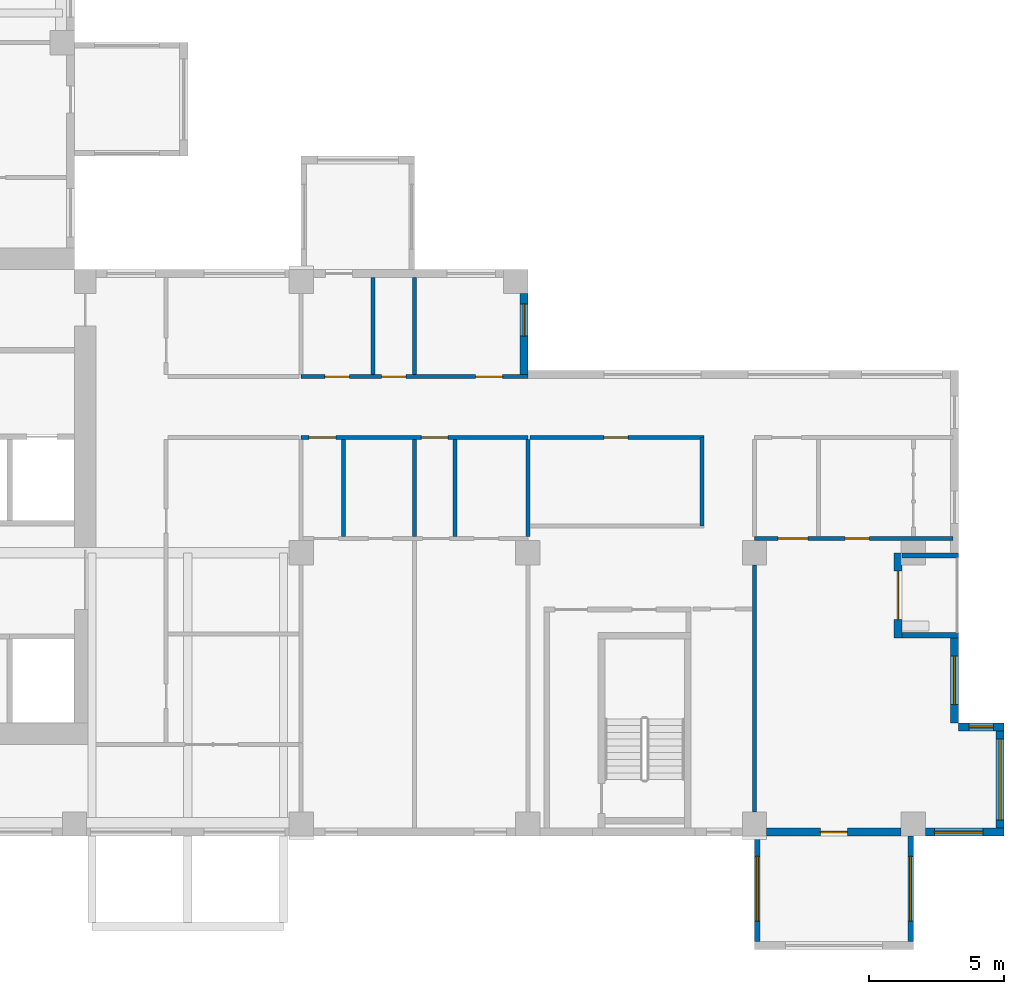
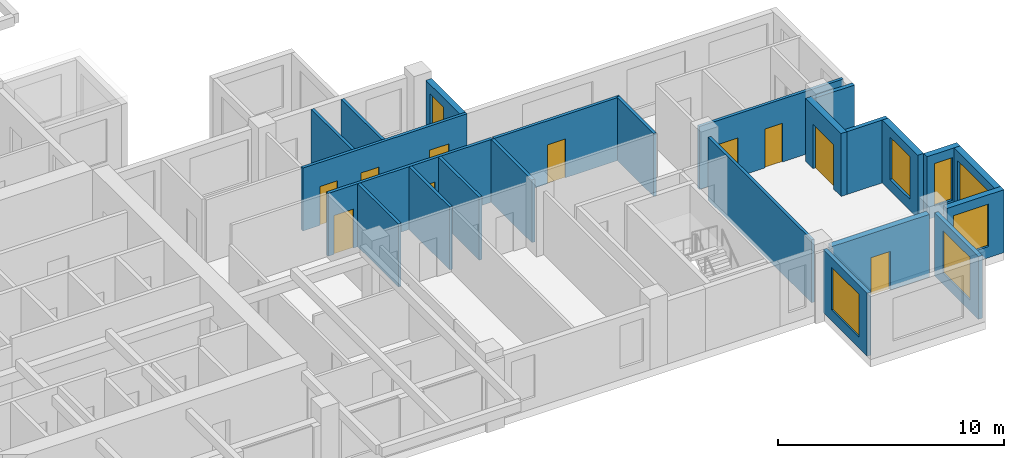
# One storey, part 5 of 12: 23 walls, 10 doors, 7 windows, 17 openings.
"""IFC4 building model written with IfcOpenShell, lengths in metres."""

from ifc_helpers import new_model, si_unit, direction, frame, frame_2d, origin, place, context, subcontext, project, spatial, rectangle, extrude, source, transform, mapped, material, layer, layer_set, type_object, element, fill, save


model = new_model("IFC4")

# Units and contexts
model_context = context("Model", 3, precision=1e-05, world=origin(), true_north=direction((0.0, 1.0)))
body_context = subcontext(model_context, "Body", "Model", "MODEL_VIEW")
ifc_project = project(units=[si_unit("LENGTHUNIT", "METRE"), si_unit("AREAUNIT", "SQUARE_METRE"), si_unit("VOLUMEUNIT", "CUBIC_METRE"), si_unit("PLANEANGLEUNIT", "RADIAN"), si_unit("MASSUNIT", "GRAM", prefix="KILO")], contexts=[model_context])

# Site, building, storey
site_placement = place(None, origin())
site = spatial("IfcSite", under=ifc_project, at=site_placement, CompositionType="ELEMENT")
building_placement = place(site_placement, origin())
building = spatial("IfcBuilding", under=site, at=building_placement, Name="Aurelian Terraces", CompositionType="ELEMENT")
storey_placement = place(building_placement, frame((0.0, 0.0, 215.8)))
storey = spatial("IfcBuildingStorey", under=building, at=storey_placement, Name="L48", CompositionType="ELEMENT", Elevation=215.8)

# Walls
ifc_material_1 = material(Name="Terracotta rainscreen cladding", Category="masonry")
ifc_layer_1 = layer(ifc_material_1, 0.2)
ifc_layer_set_1 = layer_set([ifc_layer_1], Name="EW-200")
wall_type_1 = type_object("IfcWallType", Name="EW-200", PredefinedType="STANDARD", material=ifc_layer_set_1)
wall_1_placement = place(storey_placement, frame((53.76, 7.45, 0.0), z_axis=(0.0, 0.0, 1.0), x_axis=(-1.0, 0.0, 0.0)))
element("IfcWall", 1, at=wall_1_placement, inside=storey, type_object=wall_type_1, Name="Loggia return L48 F04.12.1", PredefinedType="STANDARD", context=body_context, shape_type="SweptSolid", body=[
    extrude(rectangle(XDim=2.1, YDim=0.2, at=frame_2d((1.05, 0.0))), origin(), (0.0, 0.0, 1.0), 3.4),
])
ifc_material_2 = material(Name="Gypsum board on steel studs", Category="steel")
ifc_layer_2 = layer(ifc_material_2, 0.15)
ifc_layer_set_2 = layer_set([ifc_layer_2], Name="Partition 150")
wall_type_2 = type_object("IfcWallType", Name="Partition 150", PredefinedType="PARTITIONING", material=ifc_layer_set_2)
wall_2_placement = place(storey_placement, frame((44.25, 11.5, 0.0), z_axis=(0.0, 0.0, 1.0), x_axis=(0.0, 1.0, 0.0)))
element("IfcWall", 2, at=wall_2_placement, inside=storey, type_object=wall_type_2, Name="Partition", PredefinedType="PARTITIONING", context=body_context, shape_type="SweptSolid", body=[
    extrude(rectangle(XDim=3.275, YDim=0.15, at=frame_2d((1.6375, 0.0))), origin(), (0.0, 0.0, 1.0), 3.4),
])

# Wall, opening, window
ifc_layer_3 = layer(ifc_material_1, 0.3)
ifc_layer_set_3 = layer_set([ifc_layer_3], Name="EW-300")
wall_type_3 = type_object("IfcWallType", Name="EW-300", PredefinedType="STANDARD", material=ifc_layer_set_3)
shared_shape_1 = source(origin(), body_context, "Body", "SweptSolid", [
    extrude(rectangle(XDim=2.91, YDim=0.3, at=frame_2d((1.455, 0.0))), origin(), (0.0, 0.0, 1.0), 3.4),
])
wall_3_placement = place(storey_placement, frame((52.53, 0.15, 0.0), z_axis=(0.0, 0.0, 1.0), x_axis=(1.0, 0.0, 0.0)))
wall_3 = element("IfcWall", 3, at=wall_3_placement, inside=storey, type_object=wall_type_3, Name="External wall L48 F01.8", PredefinedType="STANDARD", context=body_context, shape_type="MappedRepresentation", body=[
    mapped(shared_shape_1, transform((0.0, 0.0, 0.0), scale=1.0)),
])
shared_shape_2 = source(origin(), body_context, "Body", "SweptSolid", [
    extrude(rectangle(XDim=1.8, YDim=2.3, at=frame_2d((0.9, 1.15))), frame((0.0, 0.16, 0.0), z_axis=(0.0, -1.0, 0.0), x_axis=(1.0, 0.0, 0.0)), (0.0, 0.0, 1.0), 0.32),
])
opening_1_placement = place(wall_3_placement, frame((0.33, 0.0, 0.6)))
opening_1 = element("IfcOpeningElement", 4, at=opening_1_placement, cuts=wall_3, Name="Opening W1823", PredefinedType="OPENING", context=body_context, shape_type="MappedRepresentation", body=[
    mapped(shared_shape_2, transform((0.0, 0.0, 0.0), scale=1.0)),
])
ifc_material_3 = material(Name="Clear glazing", Category="glass")
window_type_1 = type_object("IfcWindowType", Name="W-1800x2300", PartitioningType="SINGLE_PANEL", PredefinedType="WINDOW", material=ifc_material_3)
shared_shape_3 = source(origin(), body_context, "Body", "SweptSolid", [
    extrude(rectangle(XDim=1.8, YDim=2.3, at=frame_2d((0.9, 1.15))), frame((0.0, 0.03, 0.0), z_axis=(0.0, -1.0, 0.0), x_axis=(1.0, 0.0, 0.0)), (0.0, 0.0, 1.0), 0.06),
])
window_1_placement = place(opening_1_placement, origin())
window_1 = element("IfcWindow", 5, at=window_1_placement, inside=storey, type_object=window_type_1, Name="Window L48 L48-F01-08-0", OverallHeight=2.3, OverallWidth=1.8, PartitioningType="SINGLE_PANEL", PredefinedType="WINDOW", context=body_context, shape_type="MappedRepresentation", body=[
    mapped(shared_shape_3, transform((0.0, 0.0, 0.0), scale=1.0)),
])
fill(opening_1, window_1)

shared_shape_4 = source(origin(), body_context, "Body", "SweptSolid", [
    extrude(rectangle(XDim=4.2, YDim=0.3, at=frame_2d((2.1, 0.0))), origin(), (0.0, 0.0, 1.0), 3.4),
])
wall_4_placement = place(storey_placement, frame((55.29, 0.0, 0.0), z_axis=(0.0, 0.0, 1.0), x_axis=(0.0, 1.0, 0.0)))
wall_4 = element("IfcWall", 6, at=wall_4_placement, inside=storey, type_object=wall_type_3, Name="External wall L48 F02.9", PredefinedType="STANDARD", context=body_context, shape_type="MappedRepresentation", body=[
    mapped(shared_shape_4, transform((0.0, 0.0, 0.0), scale=1.0)),
])
shared_shape_5 = source(origin(), body_context, "Body", "SweptSolid", [
    extrude(rectangle(XDim=3.0, YDim=2.3, at=frame_2d((1.5, 1.15))), frame((0.0, 0.16, 0.0), z_axis=(0.0, -1.0, 0.0), x_axis=(1.0, 0.0, 0.0)), (0.0, 0.0, 1.0), 0.32),
])
opening_2_placement = place(wall_4_placement, frame((0.6, 0.0, 0.6)))
opening_2 = element("IfcOpeningElement", 7, at=opening_2_placement, cuts=wall_4, Name="Opening W3023", PredefinedType="OPENING", context=body_context, shape_type="MappedRepresentation", body=[
    mapped(shared_shape_5, transform((0.0, 0.0, 0.0), scale=1.0)),
])
window_type_2 = type_object("IfcWindowType", Name="W-3000x2300", PartitioningType="SINGLE_PANEL", PredefinedType="WINDOW", material=ifc_material_3)
shared_shape_6 = source(origin(), body_context, "Body", "SweptSolid", [
    extrude(rectangle(XDim=3.0, YDim=2.3, at=frame_2d((1.5, 1.15))), frame((0.0, 0.03, 0.0), z_axis=(0.0, -1.0, 0.0), x_axis=(1.0, 0.0, 0.0)), (0.0, 0.0, 1.0), 0.06),
])
window_2_placement = place(opening_2_placement, origin())
window_2 = element("IfcWindow", 8, at=window_2_placement, inside=storey, type_object=window_type_2, Name="Window L48 L48-F02-09-0", OverallHeight=2.3, OverallWidth=3.0, PartitioningType="SINGLE_PANEL", PredefinedType="WINDOW", context=body_context, shape_type="MappedRepresentation", body=[
    mapped(shared_shape_6, transform((0.0, 0.0, 0.0), scale=1.0)),
])
fill(opening_2, window_2)

shared_shape_7 = source(origin(), body_context, "Body", "SweptSolid", [
    extrude(rectangle(XDim=1.68, YDim=0.3, at=frame_2d((0.84, 0.0))), origin(), (0.0, 0.0, 1.0), 3.4),
])
wall_5_placement = place(storey_placement, frame((55.44, 4.05, 0.0), z_axis=(0.0, 0.0, 1.0), x_axis=(-1.0, 0.0, 0.0)))
wall_5 = element("IfcWall", 9, at=wall_5_placement, inside=storey, type_object=wall_type_3, Name="External wall L48 F03.10", PredefinedType="STANDARD", context=body_context, shape_type="MappedRepresentation", body=[
    mapped(shared_shape_7, transform((0.0, 0.0, 0.0), scale=1.0)),
])
shared_shape_8 = source(origin(), body_context, "Body", "SweptSolid", [
    extrude(rectangle(XDim=0.9, YDim=2.3, at=frame_2d((0.45, 1.15))), frame((0.0, 0.16, 0.0), z_axis=(0.0, -1.0, 0.0), x_axis=(1.0, 0.0, 0.0)), (0.0, 0.0, 1.0), 0.32),
])
opening_3_placement = place(wall_5_placement, frame((0.39, 0.0, 0.6)))
opening_3 = element("IfcOpeningElement", 10, at=opening_3_placement, cuts=wall_5, Name="Opening W0923", PredefinedType="OPENING", context=body_context, shape_type="MappedRepresentation", body=[
    mapped(shared_shape_8, transform((0.0, 0.0, 0.0), scale=1.0)),
])
window_type_3 = type_object("IfcWindowType", Name="W-900x2300", PartitioningType="SINGLE_PANEL", PredefinedType="WINDOW", material=ifc_material_3)
shared_shape_9 = source(origin(), body_context, "Body", "SweptSolid", [
    extrude(rectangle(XDim=0.9, YDim=2.3, at=frame_2d((0.45, 1.15))), frame((0.0, 0.03, 0.0), z_axis=(0.0, -1.0, 0.0), x_axis=(1.0, 0.0, 0.0)), (0.0, 0.0, 1.0), 0.06),
])
window_3_placement = place(opening_3_placement, origin())
window_3 = element("IfcWindow", 11, at=window_3_placement, inside=storey, type_object=window_type_3, Name="Window L48 L48-F03-10-P0", OverallHeight=2.3, OverallWidth=0.9, PartitioningType="SINGLE_PANEL", PredefinedType="WINDOW", context=body_context, shape_type="MappedRepresentation", body=[
    mapped(shared_shape_9, transform((0.0, 0.0, 0.0), scale=1.0)),
])
fill(opening_3, window_3)

ifc_material_4 = material(Name="Concrete fc' 40 MPa", Category="concrete")
ifc_layer_4 = layer(ifc_material_4, 0.2)
ifc_layer_set_4 = layer_set([ifc_layer_4], Name="BOX BEARING WALL 200")
wall_type_4 = type_object("IfcWallType", Name="BOX BEARING WALL 200", PredefinedType="SOLIDWALL", material=ifc_layer_set_4)
shared_shape_10 = source(origin(), body_context, "Body", "SweptSolid", [
    extrude(rectangle(XDim=3.9, YDim=0.2, at=frame_2d((1.95, 0.0))), origin(), (0.0, 0.0, 1.0), 3.4),
])
wall_6_placement = place(storey_placement, frame((46.3, 0.0, 0.0), z_axis=(0.0, 0.0, 1.0), x_axis=(0.0, -1.0, 0.0)))
wall_6 = element("IfcWall", 12, at=wall_6_placement, inside=storey, type_object=wall_type_4, Name="Box return L48 J67.1", PredefinedType="SOLIDWALL", context=body_context, shape_type="MappedRepresentation", body=[
    mapped(shared_shape_10, transform((0.0, 0.0, 0.0), scale=1.0)),
])
shared_shape_11 = source(origin(), body_context, "Body", "SweptSolid", [
    extrude(rectangle(XDim=2.4, YDim=2.3, at=frame_2d((1.2, 1.15))), frame((0.0, 0.11, 0.0), z_axis=(0.0, -1.0, 0.0), x_axis=(1.0, 0.0, 0.0)), (0.0, 0.0, 1.0), 0.22),
])
opening_4_placement = place(wall_6_placement, frame((0.75, 0.0, 0.6)))
opening_4 = element("IfcOpeningElement", 13, at=opening_4_placement, cuts=wall_6, Name="Opening W2423", PredefinedType="OPENING", context=body_context, shape_type="MappedRepresentation", body=[
    mapped(shared_shape_11, transform((0.0, 0.0, 0.0), scale=1.0)),
])
window_type_4 = type_object("IfcWindowType", Name="W-2400x2300", PartitioningType="SINGLE_PANEL", PredefinedType="WINDOW", material=ifc_material_3)
shared_shape_12 = source(origin(), body_context, "Body", "SweptSolid", [
    extrude(rectangle(XDim=2.4, YDim=2.3, at=frame_2d((1.2, 1.15))), frame((0.0, 0.03, 0.0), z_axis=(0.0, -1.0, 0.0), x_axis=(1.0, 0.0, 0.0)), (0.0, 0.0, 1.0), 0.06),
])
window_4_placement = place(opening_4_placement, origin())
window_4 = element("IfcWindow", 14, at=window_4_placement, inside=storey, type_object=window_type_4, Name="Window L48 J67-S1", OverallHeight=2.3, OverallWidth=2.4, PartitioningType="SINGLE_PANEL", PredefinedType="WINDOW", context=body_context, shape_type="MappedRepresentation", body=[
    mapped(shared_shape_12, transform((0.0, 0.0, 0.0), scale=1.0)),
])
fill(opening_4, window_4)

wall_7_placement = place(storey_placement, frame((51.98, 0.0, 0.0), z_axis=(0.0, 0.0, 1.0), x_axis=(0.0, -1.0, 0.0)))
wall_7 = element("IfcWall", 15, at=wall_7_placement, inside=storey, type_object=wall_type_4, Name="Box return L48 J67.2", PredefinedType="SOLIDWALL", context=body_context, shape_type="MappedRepresentation", body=[
    mapped(shared_shape_10, transform((0.0, 0.0, 0.0), scale=1.0)),
])
opening_5_placement = place(wall_7_placement, frame((0.75, 0.0, 0.6)))
opening_5 = element("IfcOpeningElement", 16, at=opening_5_placement, cuts=wall_7, Name="Opening W2423", PredefinedType="OPENING", context=body_context, shape_type="MappedRepresentation", body=[
    mapped(shared_shape_11, transform((0.0, 0.0, 0.0), scale=1.0)),
])
window_5_placement = place(opening_5_placement, origin())
window_5 = element("IfcWindow", 17, at=window_5_placement, inside=storey, type_object=window_type_4, Name="Window L48 J67-S2", OverallHeight=2.3, OverallWidth=2.4, PartitioningType="SINGLE_PANEL", PredefinedType="WINDOW", context=body_context, shape_type="MappedRepresentation", body=[
    mapped(shared_shape_12, transform((0.0, 0.0, 0.0), scale=1.0)),
])
fill(opening_5, window_5)

# Wall, opening, door
shared_shape_13 = source(origin(), body_context, "Body", "SweptSolid", [
    extrude(rectangle(XDim=4.98, YDim=0.3, at=frame_2d((2.49, 0.0))), origin(), (0.0, 0.0, 1.0), 3.4),
])
wall_8_placement = place(storey_placement, frame((46.65, 0.15, 0.0), z_axis=(0.0, 0.0, 1.0), x_axis=(1.0, 0.0, 0.0)))
wall_8 = element("IfcWall", 18, at=wall_8_placement, inside=storey, type_object=wall_type_3, Name="External wall L48 F01.7", PredefinedType="STANDARD", context=body_context, shape_type="MappedRepresentation", body=[
    mapped(shared_shape_13, transform((0.0, 0.0, 0.0), scale=1.0)),
])
shared_shape_14 = source(origin(), body_context, "Body", "SweptSolid", [
    extrude(rectangle(XDim=1.0, YDim=2.1, at=frame_2d((0.5, 1.05))), frame((0.0, 0.16, 0.0), z_axis=(0.0, -1.0, 0.0), x_axis=(1.0, 0.0, 0.0)), (0.0, 0.0, 1.0), 0.32),
])
opening_6_placement = place(wall_8_placement, frame((1.99, 0.0, 0.0)))
opening_6 = element("IfcOpeningElement", 19, at=opening_6_placement, cuts=wall_8, Name="Opening 848001", PredefinedType="OPENING", context=body_context, shape_type="MappedRepresentation", body=[
    mapped(shared_shape_14, transform((0.0, 0.0, 0.0), scale=1.0)),
])
ifc_material_5 = material(Name="Timber door leaf", Category="wood")
door_type_1 = type_object("IfcDoorType", Name="Room door 1000x2100 left", OperationType="SINGLE_SWING_LEFT", PredefinedType="DOOR", material=ifc_material_5)
shared_shape_15 = source(origin(), body_context, "Body", "SweptSolid", [
    extrude(rectangle(XDim=1.0, YDim=2.1, at=frame_2d((0.5, 1.05))), frame((0.0, 0.025, 0.0), z_axis=(0.0, -1.0, 0.0), x_axis=(1.0, 0.0, 0.0)), (0.0, 0.0, 1.0), 0.05),
])
door_1_placement = place(opening_6_placement, origin())
door_1 = element("IfcDoor", 20, at=door_1_placement, inside=storey, type_object=door_type_1, Name="Door 848001", OperationType="SINGLE_SWING_LEFT", OverallHeight=2.1, OverallWidth=1.0, PredefinedType="DOOR", context=body_context, shape_type="MappedRepresentation", body=[
    mapped(shared_shape_15, transform((0.0, 0.0, 0.0), scale=1.0)),
])
fill(opening_6, door_1)

# Wall, opening, window
shared_shape_16 = source(origin(), body_context, "Body", "SweptSolid", [
    extrude(rectangle(XDim=3.0, YDim=0.3, at=frame_2d((1.5, 0.0))), origin(), (0.0, 0.0, 1.0), 3.4),
])
wall_9_placement = place(storey_placement, frame((37.65, 17.1, 0.0), z_axis=(0.0, 0.0, 1.0), x_axis=(0.0, 1.0, 0.0)))
wall_9 = element("IfcWall", 21, at=wall_9_placement, inside=storey, type_object=wall_type_3, Name="External wall L48 F06.15", PredefinedType="STANDARD", context=body_context, shape_type="MappedRepresentation", body=[
    mapped(shared_shape_16, transform((0.0, 0.0, 0.0), scale=1.0)),
])
shared_shape_17 = source(origin(), body_context, "Body", "SweptSolid", [
    extrude(rectangle(XDim=1.2, YDim=2.3, at=frame_2d((0.6, 1.15))), frame((0.0, 0.16, 0.0), z_axis=(0.0, -1.0, 0.0), x_axis=(1.0, 0.0, 0.0)), (0.0, 0.0, 1.0), 0.32),
])
opening_7_placement = place(wall_9_placement, frame((1.425, 0.0, 0.6)))
opening_7 = element("IfcOpeningElement", 22, at=opening_7_placement, cuts=wall_9, Name="Opening W1223", PredefinedType="OPENING", context=body_context, shape_type="MappedRepresentation", body=[
    mapped(shared_shape_17, transform((0.0, 0.0, 0.0), scale=1.0)),
])
window_type_5 = type_object("IfcWindowType", Name="W-1200x2300", PartitioningType="SINGLE_PANEL", PredefinedType="WINDOW", material=ifc_material_3)
shared_shape_18 = source(origin(), body_context, "Body", "SweptSolid", [
    extrude(rectangle(XDim=1.2, YDim=2.3, at=frame_2d((0.6, 1.15))), frame((0.0, 0.03, 0.0), z_axis=(0.0, -1.0, 0.0), x_axis=(1.0, 0.0, 0.0)), (0.0, 0.0, 1.0), 0.06),
])
window_6_placement = place(opening_7_placement, origin())
window_6 = element("IfcWindow", 23, at=window_6_placement, inside=storey, type_object=window_type_5, Name="Window L48 L48-F06-15-0", OverallHeight=2.3, OverallWidth=1.2, PartitioningType="SINGLE_PANEL", PredefinedType="WINDOW", context=body_context, shape_type="MappedRepresentation", body=[
    mapped(shared_shape_18, transform((0.0, 0.0, 0.0), scale=1.0)),
])
fill(opening_7, window_6)

shared_shape_19 = source(origin(), body_context, "Body", "SweptSolid", [
    extrude(rectangle(XDim=3.15, YDim=0.3, at=frame_2d((1.575, 0.0))), origin(), (0.0, 0.0, 1.0), 3.4),
])
wall_10_placement = place(storey_placement, frame((53.61, 4.2, 0.0), z_axis=(0.0, 0.0, 1.0), x_axis=(0.0, 1.0, 0.0)))
wall_10 = element("IfcWall", 24, at=wall_10_placement, inside=storey, type_object=wall_type_3, Name="External wall L48 F04.11", PredefinedType="STANDARD", context=body_context, shape_type="MappedRepresentation", body=[
    mapped(shared_shape_19, transform((0.0, 0.0, 0.0), scale=1.0)),
])
opening_8_placement = place(wall_10_placement, frame((0.675, 0.0, 0.6)))
opening_8 = element("IfcOpeningElement", 25, at=opening_8_placement, cuts=wall_10, Name="Opening W1823", PredefinedType="OPENING", context=body_context, shape_type="MappedRepresentation", body=[
    mapped(shared_shape_2, transform((0.0, 0.0, 0.0), scale=1.0)),
])
window_7_placement = place(opening_8_placement, origin())
window_7 = element("IfcWindow", 26, at=window_7_placement, inside=storey, type_object=window_type_1, Name="Window L48 L48-F04-11-0", OverallHeight=2.3, OverallWidth=1.8, PartitioningType="SINGLE_PANEL", PredefinedType="WINDOW", context=body_context, shape_type="MappedRepresentation", body=[
    mapped(shared_shape_3, transform((0.0, 0.0, 0.0), scale=1.0)),
])
fill(opening_8, window_7)

# Wall, opening, door
wall_11_placement = place(storey_placement, frame((51.51, 7.35, 0.0), z_axis=(0.0, 0.0, 1.0), x_axis=(0.0, 1.0, 0.0)))
wall_11 = element("IfcWall", 27, at=wall_11_placement, inside=storey, type_object=wall_type_3, Name="Loggia wall L48 F04.12", PredefinedType="STANDARD", context=body_context, shape_type="MappedRepresentation", body=[
    mapped(shared_shape_19, transform((0.0, 0.0, 0.0), scale=1.0)),
])
shared_shape_20 = source(origin(), body_context, "Body", "SweptSolid", [
    extrude(rectangle(XDim=1.8, YDim=2.4, at=frame_2d((0.9, 1.2))), frame((0.0, 0.16, 0.0), z_axis=(0.0, -1.0, 0.0), x_axis=(1.0, 0.0, 0.0)), (0.0, 0.0, 1.0), 0.32),
])
opening_9_placement = place(wall_11_placement, frame((0.675, 0.0, 0.0)))
opening_9 = element("IfcOpeningElement", 28, at=opening_9_placement, cuts=wall_11, Name="Opening 84802", PredefinedType="OPENING", context=body_context, shape_type="MappedRepresentation", body=[
    mapped(shared_shape_20, transform((0.0, 0.0, 0.0), scale=1.0)),
])
door_type_2 = type_object("IfcDoorType", Name="BD-1800x2400", OperationType="SLIDING_TO_LEFT", PredefinedType="DOOR", material=ifc_material_3)
shared_shape_21 = source(origin(), body_context, "Body", "SweptSolid", [
    extrude(rectangle(XDim=1.8, YDim=2.4, at=frame_2d((0.9, 1.2))), frame((0.0, 0.025, 0.0), z_axis=(0.0, -1.0, 0.0), x_axis=(1.0, 0.0, 0.0)), (0.0, 0.0, 1.0), 0.05),
])
door_2_placement = place(opening_9_placement, origin())
door_2 = element("IfcDoor", 29, at=door_2_placement, inside=storey, type_object=door_type_2, Name="Balcony door L48 F04.12", OperationType="SLIDING_TO_LEFT", OverallHeight=2.4, OverallWidth=1.8, PredefinedType="DOOR", context=body_context, shape_type="MappedRepresentation", body=[
    mapped(shared_shape_21, transform((0.0, 0.0, 0.0), scale=1.0)),
])
fill(opening_9, door_2)

# Wall
shared_shape_22 = source(origin(), body_context, "Body", "SweptSolid", [
    extrude(rectangle(XDim=2.1, YDim=0.2, at=frame_2d((1.05, 0.0))), origin(), (0.0, 0.0, 1.0), 3.4),
])
wall_12_placement = place(storey_placement, frame((53.76, 10.4, 0.0), z_axis=(0.0, 0.0, 1.0), x_axis=(-1.0, 0.0, 0.0)))
element("IfcWall", 30, at=wall_12_placement, inside=storey, type_object=wall_type_1, Name="Loggia return L48 F04.12.2", PredefinedType="STANDARD", context=body_context, shape_type="MappedRepresentation", body=[
    mapped(shared_shape_22, transform((0.0, 0.0, 0.0), scale=1.0)),
])

# Wall, opening, door
ifc_layer_5 = layer(ifc_material_2, 0.15)
ifc_layer_set_5 = layer_set([ifc_layer_5], Name="Fire partition 150")
wall_type_5 = type_object("IfcWallType", Name="Fire partition 150", PredefinedType="PARTITIONING", material=ifc_layer_set_5)
shared_shape_23 = source(origin(), body_context, "Body", "SweptSolid", [
    extrude(rectangle(XDim=6.45, YDim=0.15, at=frame_2d((3.225, 0.0))), origin(), (0.0, 0.0, 1.0), 3.4),
])
wall_13_placement = place(storey_placement, frame((44.325, 14.775, 0.0), z_axis=(0.0, 0.0, 1.0), x_axis=(-1.0, 0.0, 0.0)))
wall_13 = element("IfcWall", 31, at=wall_13_placement, inside=storey, type_object=wall_type_5, Name="Corridor wall", PredefinedType="PARTITIONING", context=body_context, shape_type="MappedRepresentation", body=[
    mapped(shared_shape_23, transform((0.0, 0.0, 0.0), scale=1.0)),
])
shared_shape_24 = source(origin(), body_context, "Body", "SweptSolid", [
    extrude(rectangle(XDim=0.9, YDim=2.1, at=frame_2d((0.45, 1.05))), frame((0.0, 0.085, 0.0), z_axis=(0.0, -1.0, 0.0), x_axis=(1.0, 0.0, 0.0)), (0.0, 0.0, 1.0), 0.17),
])
opening_10_placement = place(wall_13_placement, frame((2.8125, 0.0, 0.0)))
opening_10 = element("IfcOpeningElement", 32, at=opening_10_placement, cuts=wall_13, Name="Opening 748005", PredefinedType="OPENING", context=body_context, shape_type="MappedRepresentation", body=[
    mapped(shared_shape_24, transform((0.0, 0.0, 0.0), scale=1.0)),
])
door_type_3 = type_object("IfcDoorType", Name="Room door 900x2100 left", OperationType="SINGLE_SWING_LEFT", PredefinedType="DOOR", material=ifc_material_5)
shared_shape_25 = source(origin(), body_context, "Body", "SweptSolid", [
    extrude(rectangle(XDim=0.9, YDim=2.1, at=frame_2d((0.45, 1.05))), frame((0.0, 0.025, 0.0), z_axis=(0.0, -1.0, 0.0), x_axis=(1.0, 0.0, 0.0)), (0.0, 0.0, 1.0), 0.05),
])
door_3_placement = place(opening_10_placement, origin())
door_3 = element("IfcDoor", 33, at=door_3_placement, inside=storey, type_object=door_type_3, Name="Door 748005", OperationType="SINGLE_SWING_LEFT", OverallHeight=2.1, OverallWidth=0.9, PredefinedType="DOOR", context=body_context, shape_type="MappedRepresentation", body=[
    mapped(shared_shape_25, transform((0.0, 0.0, 0.0), scale=1.0)),
])
fill(opening_10, door_3)

# Walls
shared_shape_26 = source(origin(), body_context, "Body", "SweptSolid", [
    extrude(rectangle(XDim=9.152, YDim=0.15, at=frame_2d((4.576, 0.0))), origin(), (0.0, 0.0, 1.0), 3.4),
])
wall_14_placement = place(storey_placement, frame((46.2, 0.899, 0.0), z_axis=(0.0, 0.0, 1.0), x_axis=(0.0, 1.0, 0.0)))
element("IfcWall", 34, at=wall_14_placement, inside=storey, type_object=wall_type_5, Name="Party wall", PredefinedType="PARTITIONING", context=body_context, shape_type="MappedRepresentation", body=[
    mapped(shared_shape_26, transform((0.0, 0.0, 0.0), scale=1.0)),
])
shared_shape_27 = source(origin(), body_context, "Body", "SweptSolid", [
    extrude(rectangle(XDim=3.6, YDim=0.15, at=frame_2d((1.8, 0.0))), origin(), (0.0, 0.0, 1.0), 3.4),
])
for number, where, z_axis, x_axis, name in (
    (35, (30.975, 11.1, 0.0), (0.0, 0.0, 1.0), (0.0, 1.0, 0.0), "Partition"),
    (36, (33.6, 11.1, 0.0), (0.0, 0.0, 1.0), (0.0, 1.0, 0.0), "Partition"),
    (37, (35.1, 11.1, 0.0), (0.0, 0.0, 1.0), (0.0, 1.0, 0.0), "Partition"),
):
    element("IfcWall", number, at=place(storey_placement, frame(where, z_axis=z_axis, x_axis=x_axis)), inside=storey, type_object=wall_type_2, Name=name, PredefinedType="PARTITIONING", context=body_context, shape_type="MappedRepresentation", body=[
        mapped(shared_shape_27, transform((0.0, 0.0, 0.0), scale=1.0)),
    ])
wall_15_placement = place(storey_placement, frame((37.8, 11.1, 0.0), z_axis=(0.0, 0.0, 1.0), x_axis=(0.0, 1.0, 0.0)))
element("IfcWall", 38, at=wall_15_placement, inside=storey, type_object=wall_type_5, Name="Party wall", PredefinedType="PARTITIONING", context=body_context, shape_type="MappedRepresentation", body=[
    mapped(shared_shape_27, transform((0.0, 0.0, 0.0), scale=1.0)),
])
wall_16_placement = place(storey_placement, frame((32.067, 20.7, 0.0), z_axis=(0.0, 0.0, 1.0), x_axis=(0.0, -1.0, 0.0)))
element("IfcWall", 39, at=wall_16_placement, inside=storey, type_object=wall_type_2, Name="Partition", PredefinedType="PARTITIONING", context=body_context, shape_type="MappedRepresentation", body=[
    mapped(shared_shape_27, transform((0.0, 0.0, 0.0), scale=1.0)),
])
wall_17_placement = place(storey_placement, frame((33.6, 17.1, 0.0), z_axis=(0.0, 0.0, 1.0), x_axis=(0.0, 1.0, 0.0)))
element("IfcWall", 40, at=wall_17_placement, inside=storey, type_object=wall_type_5, Name="Party wall", PredefinedType="PARTITIONING", context=body_context, shape_type="MappedRepresentation", body=[
    mapped(shared_shape_27, transform((0.0, 0.0, 0.0), scale=1.0)),
])

# Wall, openings, doors
shared_shape_28 = source(origin(), body_context, "Body", "SweptSolid", [
    extrude(rectangle(XDim=8.4, YDim=0.15, at=frame_2d((4.2, 0.0))), origin(), (0.0, 0.0, 1.0), 3.4),
])
wall_18_placement = place(storey_placement, frame((37.8, 14.775, 0.0), z_axis=(0.0, 0.0, 1.0), x_axis=(-1.0, 0.0, 0.0)))
wall_18 = element("IfcWall", 41, at=wall_18_placement, inside=storey, type_object=wall_type_5, Name="Corridor wall", PredefinedType="PARTITIONING", context=body_context, shape_type="MappedRepresentation", body=[
    mapped(shared_shape_28, transform((0.0, 0.0, 0.0), scale=1.0)),
])
shared_shape_29 = source(origin(), body_context, "Body", "SweptSolid", [
    extrude(rectangle(XDim=1.0, YDim=2.1, at=frame_2d((0.5, 1.05))), frame((0.0, 0.085, 0.0), z_axis=(0.0, -1.0, 0.0), x_axis=(1.0, 0.0, 0.0)), (0.0, 0.0, 1.0), 0.17),
])
opening_11_placement = place(wall_18_placement, frame((7.1125, 0.0, 0.0)))
opening_11 = element("IfcOpeningElement", 42, at=opening_11_placement, cuts=wall_18, Name="Opening 748007", PredefinedType="OPENING", context=body_context, shape_type="MappedRepresentation", body=[
    mapped(shared_shape_29, transform((0.0, 0.0, 0.0), scale=1.0)),
])
opening_12_placement = place(wall_18_placement, frame((2.95, 0.0, 0.0)))
opening_12 = element("IfcOpeningElement", 43, at=opening_12_placement, cuts=wall_18, Name="Opening 748010", PredefinedType="OPENING", context=body_context, shape_type="MappedRepresentation", body=[
    mapped(shared_shape_29, transform((0.0, 0.0, 0.0), scale=1.0)),
])
ifc_material_6 = material(Name="Steel door leaf", Category="steel")
door_type_4 = type_object("IfcDoorType", Name="Entrance fire door 1000x2100 right", OperationType="SINGLE_SWING_RIGHT", PredefinedType="DOOR", material=ifc_material_6)
door_4_placement = place(opening_11_placement, origin())
door_4 = element("IfcDoor", 44, at=door_4_placement, inside=storey, type_object=door_type_4, Name="Door 748007", OperationType="SINGLE_SWING_RIGHT", OverallHeight=2.1, OverallWidth=1.0, PredefinedType="DOOR", context=body_context, shape_type="MappedRepresentation", body=[
    mapped(shared_shape_15, transform((0.0, 0.0, 0.0), scale=1.0)),
])
fill(opening_11, door_4)
door_type_5 = type_object("IfcDoorType", Name="Entrance fire door 1000x2100 left", OperationType="SINGLE_SWING_LEFT", PredefinedType="DOOR", material=ifc_material_6)
door_5_placement = place(opening_12_placement, origin())
door_5 = element("IfcDoor", 45, at=door_5_placement, inside=storey, type_object=door_type_5, Name="Door 748010", OperationType="SINGLE_SWING_LEFT", OverallHeight=2.1, OverallWidth=1.0, PredefinedType="DOOR", context=body_context, shape_type="MappedRepresentation", body=[
    mapped(shared_shape_15, transform((0.0, 0.0, 0.0), scale=1.0)),
])
fill(opening_12, door_5)

wall_19_placement = place(storey_placement, frame((29.4, 17.025, 0.0), z_axis=(0.0, 0.0, 1.0), x_axis=(1.0, 0.0, 0.0)))
wall_19 = element("IfcWall", 46, at=wall_19_placement, inside=storey, type_object=wall_type_5, Name="Corridor wall", PredefinedType="PARTITIONING", context=body_context, shape_type="MappedRepresentation", body=[
    mapped(shared_shape_28, transform((0.0, 0.0, 0.0), scale=1.0)),
])
opening_13_placement = place(wall_19_placement, frame((0.8835, 0.0, 0.0)))
opening_13 = element("IfcOpeningElement", 47, at=opening_13_placement, cuts=wall_19, Name="Opening 748016", PredefinedType="OPENING", context=body_context, shape_type="MappedRepresentation", body=[
    mapped(shared_shape_24, transform((0.0, 0.0, 0.0), scale=1.0)),
])
opening_14_placement = place(wall_19_placement, frame((2.9835, 0.0, 0.0)))
opening_14 = element("IfcOpeningElement", 48, at=opening_14_placement, cuts=wall_19, Name="Opening 748017", PredefinedType="OPENING", context=body_context, shape_type="MappedRepresentation", body=[
    mapped(shared_shape_24, transform((0.0, 0.0, 0.0), scale=1.0)),
])
opening_15_placement = place(wall_19_placement, frame((6.4625, 0.0, 0.0)))
opening_15 = element("IfcOpeningElement", 49, at=opening_15_placement, cuts=wall_19, Name="Opening 748018", PredefinedType="OPENING", context=body_context, shape_type="MappedRepresentation", body=[
    mapped(shared_shape_29, transform((0.0, 0.0, 0.0), scale=1.0)),
])
door_6_placement = place(opening_15_placement, origin())
door_6 = element("IfcDoor", 50, at=door_6_placement, inside=storey, type_object=door_type_4, Name="Door 748018", OperationType="SINGLE_SWING_RIGHT", OverallHeight=2.1, OverallWidth=1.0, PredefinedType="DOOR", context=body_context, shape_type="MappedRepresentation", body=[
    mapped(shared_shape_15, transform((0.0, 0.0, 0.0), scale=1.0)),
])
fill(opening_15, door_6)
door_type_6 = type_object("IfcDoorType", Name="Entrance fire door 900x2100 right", OperationType="SINGLE_SWING_RIGHT", PredefinedType="DOOR", material=ifc_material_6)
door_7_placement = place(opening_13_placement, origin())
door_7 = element("IfcDoor", 51, at=door_7_placement, inside=storey, type_object=door_type_6, Name="Door 748016", OperationType="SINGLE_SWING_RIGHT", OverallHeight=2.1, OverallWidth=0.9, PredefinedType="DOOR", context=body_context, shape_type="MappedRepresentation", body=[
    mapped(shared_shape_25, transform((0.0, 0.0, 0.0), scale=1.0)),
])
fill(opening_13, door_7)
door_type_7 = type_object("IfcDoorType", Name="Entrance fire door 900x2100 left", OperationType="SINGLE_SWING_LEFT", PredefinedType="DOOR", material=ifc_material_6)
door_8_placement = place(opening_14_placement, origin())
door_8 = element("IfcDoor", 52, at=door_8_placement, inside=storey, type_object=door_type_7, Name="Door 748017", OperationType="SINGLE_SWING_LEFT", OverallHeight=2.1, OverallWidth=0.9, PredefinedType="DOOR", context=body_context, shape_type="MappedRepresentation", body=[
    mapped(shared_shape_25, transform((0.0, 0.0, 0.0), scale=1.0)),
])
fill(opening_14, door_8)

shared_shape_30 = source(origin(), body_context, "Body", "SweptSolid", [
    extrude(rectangle(XDim=7.355, YDim=0.15, at=frame_2d((3.6775, 0.0))), origin(), (0.0, 0.0, 1.0), 3.4),
])
wall_20_placement = place(storey_placement, frame((53.555, 11.025, 0.0), z_axis=(0.0, 0.0, 1.0), x_axis=(-1.0, 0.0, 0.0)))
wall_20 = element("IfcWall", 53, at=wall_20_placement, inside=storey, type_object=wall_type_2, Name="Partition", PredefinedType="PARTITIONING", context=body_context, shape_type="MappedRepresentation", body=[
    mapped(shared_shape_30, transform((0.0, 0.0, 0.0), scale=1.0)),
])
shared_shape_31 = source(origin(), body_context, "Body", "SweptSolid", [
    extrude(rectangle(XDim=1.1, YDim=2.1, at=frame_2d((0.55, 1.05))), frame((0.0, 0.085, 0.0), z_axis=(0.0, -1.0, 0.0), x_axis=(1.0, 0.0, 0.0)), (0.0, 0.0, 1.0), 0.17),
])
opening_16_placement = place(wall_20_placement, frame((5.3803, 0.0, 0.0)))
opening_16 = element("IfcOpeningElement", 54, at=opening_16_placement, cuts=wall_20, Name="Opening 748014", PredefinedType="OPENING", context=body_context, shape_type="MappedRepresentation", body=[
    mapped(shared_shape_31, transform((0.0, 0.0, 0.0), scale=1.0)),
])
opening_17_placement = place(wall_20_placement, frame((3.1056, 0.0, 0.0)))
opening_17 = element("IfcOpeningElement", 55, at=opening_17_placement, cuts=wall_20, Name="Opening 748015", PredefinedType="OPENING", context=body_context, shape_type="MappedRepresentation", body=[
    mapped(shared_shape_24, transform((0.0, 0.0, 0.0), scale=1.0)),
])
door_type_8 = type_object("IfcDoorType", Name="Room door 900x2100 right", OperationType="SINGLE_SWING_RIGHT", PredefinedType="DOOR", material=ifc_material_5)
door_9_placement = place(opening_17_placement, origin())
door_9 = element("IfcDoor", 56, at=door_9_placement, inside=storey, type_object=door_type_8, Name="Door 748015", OperationType="SINGLE_SWING_RIGHT", OverallHeight=2.1, OverallWidth=0.9, PredefinedType="DOOR", context=body_context, shape_type="MappedRepresentation", body=[
    mapped(shared_shape_25, transform((0.0, 0.0, 0.0), scale=1.0)),
])
fill(opening_17, door_9)
door_type_9 = type_object("IfcDoorType", Name="Room door 1100x2100 left", OperationType="SINGLE_SWING_LEFT", PredefinedType="DOOR", material=ifc_material_5)
shared_shape_32 = source(origin(), body_context, "Body", "SweptSolid", [
    extrude(rectangle(XDim=1.1, YDim=2.1, at=frame_2d((0.55, 1.05))), frame((0.0, 0.025, 0.0), z_axis=(0.0, -1.0, 0.0), x_axis=(1.0, 0.0, 0.0)), (0.0, 0.0, 1.0), 0.05),
])
door_10_placement = place(opening_16_placement, origin())
door_10 = element("IfcDoor", 57, at=door_10_placement, inside=storey, type_object=door_type_9, Name="Door 748014", OperationType="SINGLE_SWING_LEFT", OverallHeight=2.1, OverallWidth=1.1, PredefinedType="DOOR", context=body_context, shape_type="MappedRepresentation", body=[
    mapped(shared_shape_32, transform((0.0, 0.0, 0.0), scale=1.0)),
])
fill(opening_16, door_10)

save(model, "model.ifc")
